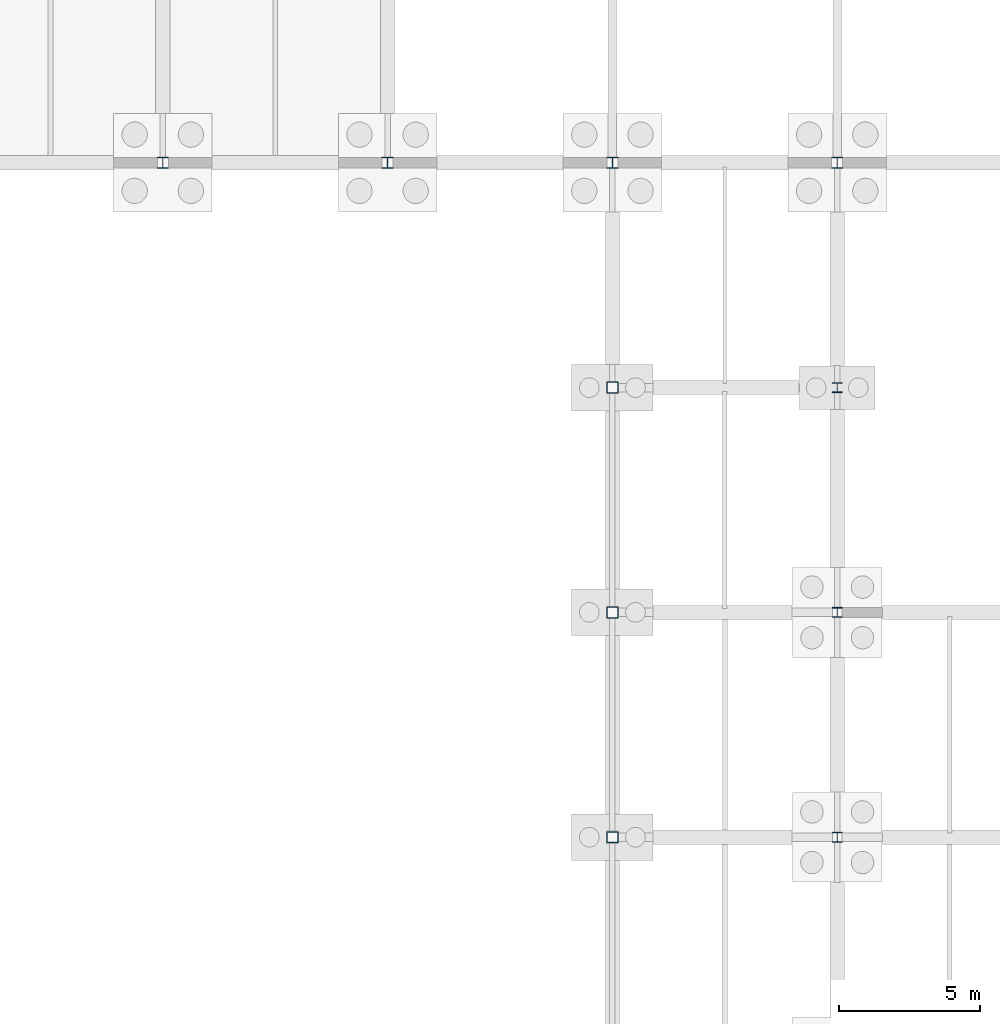
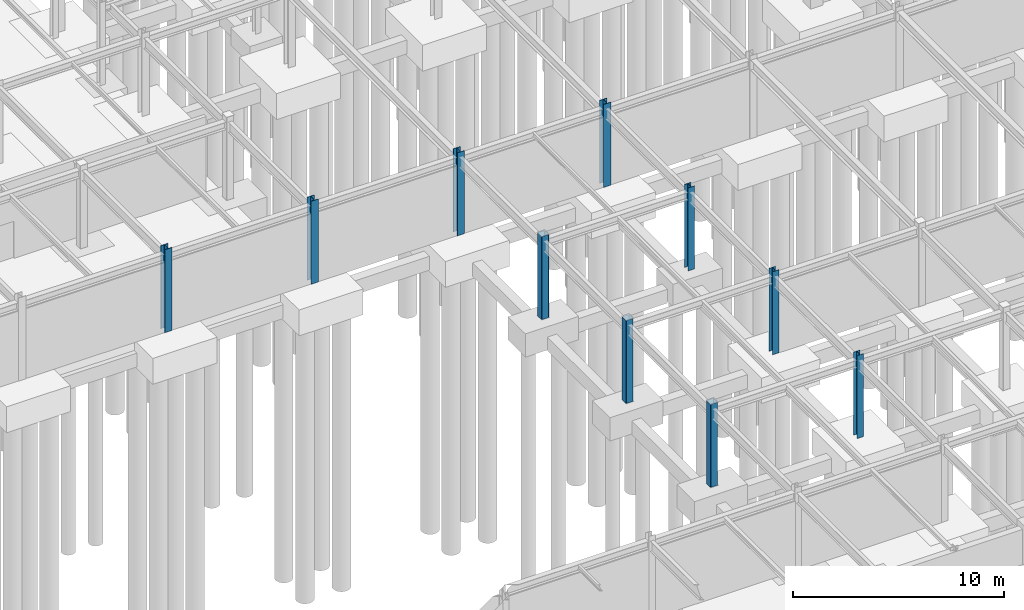
# One storey, part 20 of 72: 10 columns.
"""IFC4 building model written with IfcOpenShell, lengths in metres."""

import ifcopenshell
import ifcopenshell.guid

model = None  # the IFC model being written
_history = None  # IfcOwnerHistory: only IFC2X3 demands one
_inside = {}  # id of a spatial element -> (the spatial element, [elements in it])
_under = {}  # id of a project, library or spatial element -> (it, [spatial elements below it])
_declared = {}  # id of a project -> (the project, [libraries it declares])
_typed = {}  # id of a type object -> (the type object, [elements of that type])
_made_of = {}  # id of a material, layer set ... -> (it, [elements and type objects made of it])


def new_model(schema):
    """Start an empty IFC model of exactly this schema.

    Asked for "IFC4X3", IfcOpenShell would pick the latest addendum, in which some entities
    have other attributes; the version numbers below select the first issue.
    IFC2X3 requires an IfcOwnerHistory on every rooted entity: one is made here for all.
    """
    global model, _history
    if schema == "IFC4X3":
        model = ifcopenshell.file(schema_version=(4, 3, 0, 0))
    else:
        model = ifcopenshell.file(schema=schema)
    _inside.clear()
    _under.clear()
    _declared.clear()
    _typed.clear()
    _made_of.clear()
    _history = None
    if model.schema == "IFC2X3":
        org = make("IfcOrganization", Name="unknown")
        user = make(
            "IfcPersonAndOrganization",
            ThePerson=make("IfcPerson", FamilyName="unknown"),
            TheOrganization=org,
        )
        app = make(
            "IfcApplication",
            ApplicationDeveloper=org,
            Version="unknown",
            ApplicationFullName="unknown",
            ApplicationIdentifier="unknown",
        )
        _history = make(
            "IfcOwnerHistory",
            OwningUser=user,
            OwningApplication=app,
            ChangeAction="ADDED",
            CreationDate=0,
        )
    return model


def make(cls, **values):
    """One entity of the class cls with the attributes given. An attribute that is None is left unset."""
    return model.create_entity(
        cls, **{name: value for name, value in values.items() if value is not None}
    )


def rooted(cls, **values):
    """An entity with a GlobalId (a new one), such as an element, a storey or a relation."""
    return make(cls, GlobalId=ifcopenshell.guid.new(), OwnerHistory=_history, **values)


def si_unit(unit_type, name, prefix=None):
    """IfcSIUnit, for example si_unit("LENGTHUNIT", "METRE", prefix="MILLI")."""
    return make("IfcSIUnit", UnitType=unit_type, Prefix=prefix, Name=name)


def assignment(units):
    """IfcUnitAssignment: the units of a project."""
    return None if units is None else make("IfcUnitAssignment", Units=units)


def point(xyz):
    """IfcCartesianPoint."""
    return None if xyz is None else make("IfcCartesianPoint", Coordinates=xyz)


def direction(xyz):
    """IfcDirection."""
    return None if xyz is None else make("IfcDirection", DirectionRatios=xyz)


def frame(location, z_axis=None, x_axis=None):
    """IfcAxis2Placement3D, a coordinate frame: its origin and axes. An axis left out is left unset."""
    return make(
        "IfcAxis2Placement3D",
        Location=point(location),
        Axis=direction(z_axis),
        RefDirection=direction(x_axis),
    )


def frame_2d(location, x_axis=None):
    """IfcAxis2Placement2D, a coordinate frame in the plane: its origin and x axis."""
    return make(
        "IfcAxis2Placement2D", Location=point(location), RefDirection=direction(x_axis)
    )


def origin():
    """The frame at (0, 0, 0) with its axes left unset."""
    return frame((0.0, 0.0, 0.0))


def origin_2d():
    """The frame at (0, 0) in the plane with its x axis left unset."""
    return frame_2d((0.0, 0.0))


def place(relative_to, where):
    """IfcLocalPlacement: puts the frame where relative to a parent placement (None: the world)."""
    return make(
        "IfcLocalPlacement", PlacementRelTo=relative_to, RelativePlacement=where
    )


def context(
    kind, dimensions, precision=None, world=None, true_north=None, identifier=None
):
    """IfcGeometricRepresentationContext, for example the 3D "Model" context."""
    return make(
        "IfcGeometricRepresentationContext",
        ContextIdentifier=identifier,
        ContextType=kind,
        CoordinateSpaceDimension=dimensions,
        Precision=precision,
        WorldCoordinateSystem=world,
        TrueNorth=true_north,
    )


def subcontext(parent, identifier, kind, view, scale=None):
    """IfcGeometricRepresentationSubContext, for example "Body" below "Model"."""
    return make(
        "IfcGeometricRepresentationSubContext",
        ContextIdentifier=identifier,
        ContextType=kind,
        ParentContext=parent,
        TargetScale=scale,
        TargetView=view,
    )


def project(units=None, contexts=None):
    """IfcProject with its units and contexts."""
    return rooted(
        "IfcProject",
        Name="project",
        RepresentationContexts=contexts,
        UnitsInContext=assignment(units),
    )


def spatial(cls, under=None, at=None, **own):
    """A site, building, storey or space (cls), placed at a placement, below another one or the project."""
    s = rooted(cls, ObjectPlacement=at, **own)
    if under is not None:
        _under.setdefault(under.id(), (under, []))[1].append(s)
    return s


def profile(cls, at=None, kind="AREA", **sizes):
    """A parametric profile (cls). Its sizes go by their IFC names, for example OverallWidth=200.0."""
    return make(cls, ProfileType=kind, Position=at, **sizes)


def hollow_rectangle(**sizes):
    """IfcRectangleHollowProfileDef."""
    return profile("IfcRectangleHollowProfileDef", **sizes)


def i_section(**sizes):
    """IfcIShapeProfileDef."""
    return profile("IfcIShapeProfileDef", **sizes)


def extrude(swept, where, along, depth):
    """IfcExtrudedAreaSolid: the profile swept, set in the frame where, extruded along a direction by depth."""
    return make(
        "IfcExtrudedAreaSolid",
        SweptArea=swept,
        Position=where,
        ExtrudedDirection=direction(along),
        Depth=depth,
    )


def shape(context_of_items, identifier, shape_type, items):
    """IfcShapeRepresentation: the items that make up one representation, for example the "Body"."""
    return make(
        "IfcShapeRepresentation",
        ContextOfItems=context_of_items,
        RepresentationIdentifier=identifier,
        RepresentationType=shape_type,
        Items=items,
    )


def material(Name=None, Category=None):
    """IfcMaterial."""
    return make("IfcMaterial", Name=Name, Category=Category)


def material_profile(
    of_material, cross_section, Name=None, Category=None, Priority=None
):
    """IfcMaterialProfile: a cross section and its material."""
    return make(
        "IfcMaterialProfile",
        Name=Name,
        Material=of_material,
        Profile=cross_section,
        Priority=Priority,
        Category=Category,
    )


def profile_set(profiles, Name=None, composite=None):
    """IfcMaterialProfileSet."""
    return make(
        "IfcMaterialProfileSet",
        Name=Name,
        MaterialProfiles=profiles,
        CompositeProfile=composite,
    )


def made_of(thing, what):
    """Note that an element or type object is made of a material, layer set ...; save() writes the relation."""
    if what is not None:
        _made_of.setdefault(what.id(), (what, []))[1].append(thing)
    return thing


def type_object(cls, material=None, **own):
    """A type object (cls), such as IfcWallType, which elements share."""
    return made_of(rooted(cls, **own), material)


def element(
    cls,
    number,
    at=None,
    inside=None,
    cuts=None,
    type_object=None,
    material=None,
    context=None,
    identifier="Body",
    shape_type=None,
    held_by="IfcProductDefinitionShape",
    body=None,
    shapes=None,
    **own,
):
    """One element of the class cls, such as IfcWall. Its Tag is "e" and its number.

    at: its placement. inside: the storey or other place that contains it. cuts: it is an
    opening in that element (IfcRelVoidsElement). A single representation is given by context,
    identifier, shape_type and body (its items); several are given by shapes. held_by: the class
    of the entity that holds the representations. save() writes the other relations.
    """
    e = rooted(cls, Tag="e%d" % number, ObjectPlacement=at, **own)
    if body is not None:
        shapes = [shape(context, identifier, shape_type, body)]
    if shapes is not None:
        e.Representation = make(held_by, Representations=shapes)
    if inside is not None:
        _inside.setdefault(inside.id(), (inside, []))[1].append(e)
    if cuts is not None:
        rooted(
            "IfcRelVoidsElement", RelatingBuildingElement=cuts, RelatedOpeningElement=e
        )
    if type_object is not None:
        _typed.setdefault(type_object.id(), (type_object, []))[1].append(e)
    return made_of(e, material)


def aggregate(whole, parts):
    """IfcRelAggregates: a whole, such as a stair, and the parts it consists of."""
    return rooted("IfcRelAggregates", RelatingObject=whole, RelatedObjects=parts)


def save(model, path):
    """Write the relations noted so far, then the file.

    IfcRelAggregates (storeys below a building ...), IfcRelContainedInSpatialStructure (elements
    in a storey), IfcRelDefinesByType, IfcRelAssociatesMaterial and IfcRelDeclares: one each for
    every whole, place, type object, material and project.
    """
    for whole, parts in _under.values():
        aggregate(whole, parts)
    for where, things in _inside.values():
        rooted(
            "IfcRelContainedInSpatialStructure",
            RelatedElements=things,
            RelatingStructure=where,
        )
    for kind, things in _typed.values():
        rooted("IfcRelDefinesByType", RelatedObjects=things, RelatingType=kind)
    for what, things in _made_of.values():
        rooted("IfcRelAssociatesMaterial", RelatedObjects=things, RelatingMaterial=what)
    for by, libraries in _declared.values():
        rooted("IfcRelDeclares", RelatingContext=by, RelatedDefinitions=libraries)
    model.write(path)


model = new_model("IFC4")

# Units and contexts
model_context = context("Model", 3, precision=1e-05, world=origin(), true_north=direction((0.0, 1.0)))
body_context = subcontext(model_context, "Body", "Model", "MODEL_VIEW")
ifc_project = project(units=[si_unit("LENGTHUNIT", "METRE"), si_unit("AREAUNIT", "SQUARE_METRE"), si_unit("VOLUMEUNIT", "CUBIC_METRE"), si_unit("PLANEANGLEUNIT", "RADIAN"), si_unit("MASSUNIT", "GRAM", prefix="KILO")], contexts=[model_context])

# Site, building, storey
site_placement = place(None, origin())
site = spatial("IfcSite", under=ifc_project, at=site_placement, CompositionType="ELEMENT")
building_placement = place(site_placement, origin())
building = spatial("IfcBuilding", under=site, at=building_placement, Name="Zhaolan Boulevard Law Courts", CompositionType="ELEMENT")
storey_placement = place(building_placement, frame((0.0, 0.0, -4.800048828125)))
storey = spatial("IfcBuildingStorey", under=building, at=storey_placement, Name="B1", CompositionType="ELEMENT", Elevation=-4.800048828125)

# Columns
ifc_material_1 = material(Name="Structural steel Q355B", Category="steel")
ifc_material_profile_1 = material_profile(ifc_material_1, hollow_rectangle(XDim=0.39990234375, YDim=0.39990234375, WallThickness=0.01611328125, InnerFilletRadius=0.01611328125, OuterFilletRadius=0.031982421875, at=origin_2d()), Name="BOX400x400x16")
ifc_profile_set_1 = profile_set([ifc_material_profile_1], Name="Structural steel Q355B")
column_type_1 = type_object("IfcColumnType", Name="COL BOX400", PredefinedType="COLUMN", material=ifc_profile_set_1)
for number, where, z_axis, x_axis, name in (
    (1, (116.0, 38.0, 0.0), (0.0, 0.0, 1.0), (1.0, 0.0, 0.0), "Column C-15F (B1)"),
    (2, (116.0, 46.0, 0.0), (0.0, 0.0, 1.0), (1.0, 0.0, 0.0), "Column C-15G (B1)"),
    (3, (116.0, 54.0, 0.0), (0.0, 0.0, 1.0), (1.0, 0.0, 0.0), "Column C-15H (B1)"),
):
    element("IfcColumn", number, at=place(storey_placement, frame(where, z_axis=z_axis, x_axis=x_axis)), inside=storey, type_object=column_type_1, Name=name, PredefinedType="COLUMN", context=body_context, shape_type="SweptSolid", body=[
        extrude(hollow_rectangle(XDim=0.39990234375, YDim=0.39990234375, WallThickness=0.01611328125, InnerFilletRadius=0.01611328125, OuterFilletRadius=0.031982421875, at=origin_2d()), origin(), (0.0, 0.0, 1.0), 4.800048828125),
    ])
ifc_material_2 = material(Name="Structural steel Q355B", Category="steel")
ifc_material_profile_2 = material_profile(ifc_material_2, i_section(OverallWidth=0.35009765625, OverallDepth=0.35009765625, WebThickness=0.011962890625, FlangeThickness=0.01904296875, FilletRadius=0.02001953125, at=origin_2d()), Name="HW350x350")
ifc_profile_set_2 = profile_set([ifc_material_profile_2], Name="Structural steel Q355B")
column_type_2 = type_object("IfcColumnType", Name="COL HW350", PredefinedType="COLUMN", material=ifc_profile_set_2)
for number, where, z_axis, x_axis, name in (
    (4, (124.0, 38.0, 0.0), (0.0, 0.0, 1.0), (1.0, 0.0, 0.0), "Column C-16F (B1)"),
    (5, (124.0, 46.0, 0.0), (0.0, 0.0, 1.0), (1.0, 0.0, 0.0), "Column C-16G (B1)"),
    (6, (124.0, 54.0, 0.0), (0.0, 0.0, 1.0), (1.0, 0.0, 0.0), "Column C-16H (B1)"),
):
    element("IfcColumn", number, at=place(storey_placement, frame(where, z_axis=z_axis, x_axis=x_axis)), inside=storey, type_object=column_type_2, Name=name, PredefinedType="COLUMN", context=body_context, shape_type="SweptSolid", body=[
        extrude(i_section(OverallWidth=0.35009765625, OverallDepth=0.35009765625, WebThickness=0.011962890625, FlangeThickness=0.01904296875, FilletRadius=0.02001953125, at=origin_2d()), origin(), (0.0, 0.0, 1.0), 4.800048828125),
    ])
ifc_material_3 = material(Name="Structural steel Q390B", Category="steel")
ifc_material_profile_3 = material_profile(ifc_material_3, i_section(OverallWidth=0.39990234375, OverallDepth=0.39990234375, WebThickness=0.012939453125, FlangeThickness=0.02099609375, FilletRadius=0.02197265625, at=origin_2d()), Name="HW400x400")
ifc_profile_set_3 = profile_set([ifc_material_profile_3], Name="Structural steel Q390B")
column_type_3 = type_object("IfcColumnType", Name="COL HW400", PredefinedType="COLUMN", material=ifc_profile_set_3)
for number, where, z_axis, x_axis, name in (
    (7, (100.0, 62.0, 0.0), (0.0, 0.0, 1.0), (1.0, 0.0, 0.0), "Column C-13J (B1)"),
    (8, (108.0, 62.0, 0.0), (0.0, 0.0, 1.0), (1.0, 0.0, 0.0), "Column C-14J (B1)"),
    (9, (116.0, 62.0, 0.0), (0.0, 0.0, 1.0), (1.0, 0.0, 0.0), "Column C-15J (B1)"),
    (10, (124.0, 62.0, 0.0), (0.0, 0.0, 1.0), (1.0, 0.0, 0.0), "Column C-16J (B1)"),
):
    element("IfcColumn", number, at=place(storey_placement, frame(where, z_axis=z_axis, x_axis=x_axis)), inside=storey, type_object=column_type_3, Name=name, PredefinedType="COLUMN", context=body_context, shape_type="SweptSolid", body=[
        extrude(i_section(OverallWidth=0.39990234375, OverallDepth=0.39990234375, WebThickness=0.012939453125, FlangeThickness=0.02099609375, FilletRadius=0.02197265625, at=origin_2d()), origin(), (0.0, 0.0, 1.0), 4.800048828125),
    ])

save(model, "model.ifc")
